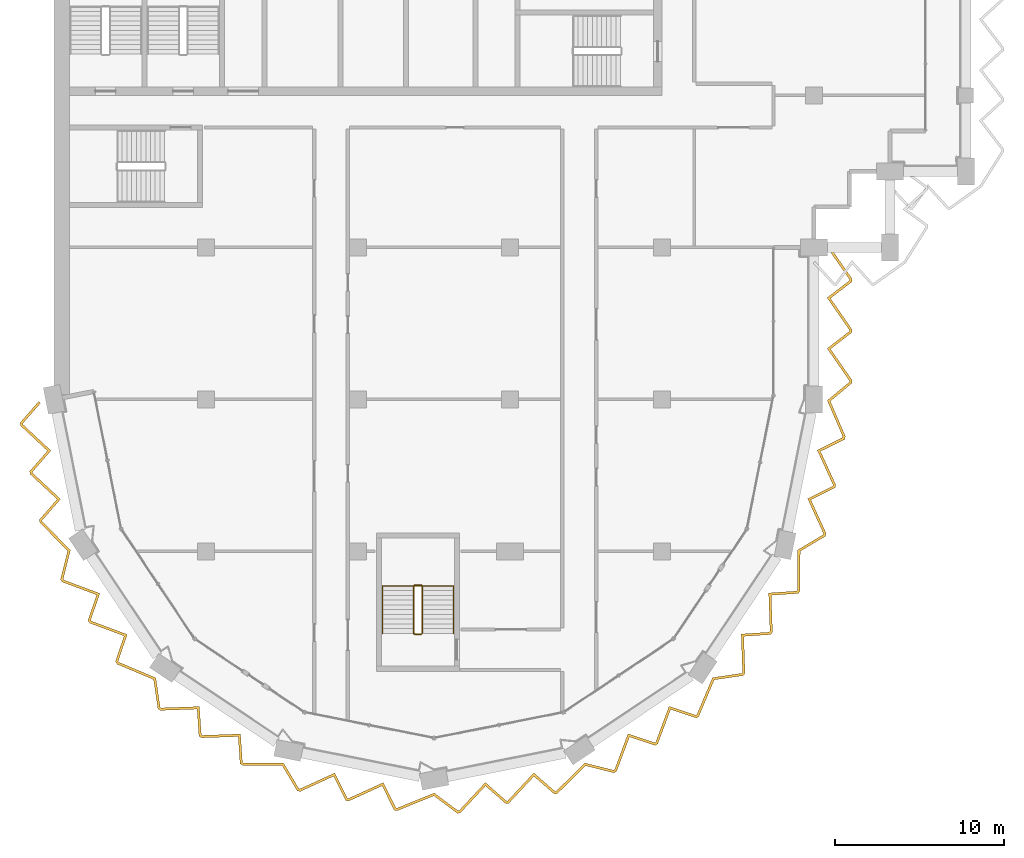
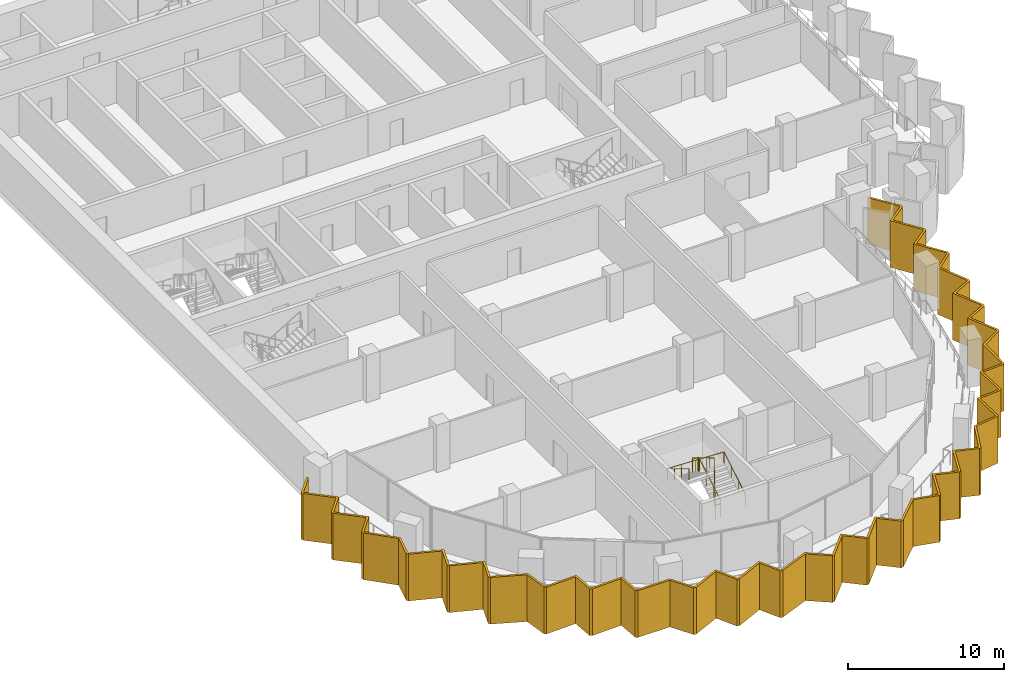
# One storey, part 13 of 16: 2 railings, 1 shading device.
"""IFC4 building model written with IfcOpenShell, lengths in metres."""

from ifc_helpers import new_model, si_unit, direction, frame, origin, origin_2d, place, context, subcontext, project, spatial, polyline, circle, outline, extrude, material, layer, layer_set, type_object, element, save


model = new_model("IFC4")

# Units and contexts
model_context = context("Model", 3, precision=1e-05, world=origin(), true_north=direction((0.0, 1.0)))
body_context = subcontext(model_context, "Body", "Model", "MODEL_VIEW")
ifc_project = project(units=[si_unit("LENGTHUNIT", "METRE"), si_unit("AREAUNIT", "SQUARE_METRE"), si_unit("VOLUMEUNIT", "CUBIC_METRE"), si_unit("PLANEANGLEUNIT", "RADIAN"), si_unit("MASSUNIT", "GRAM", prefix="KILO")], contexts=[model_context])

# Site, building, storey
site_placement = place(None, origin())
site = spatial("IfcSite", under=ifc_project, at=site_placement, CompositionType="ELEMENT")
building_placement = place(site_placement, origin())
building = spatial("IfcBuilding", under=site, at=building_placement, Name="Hunhe Ridgeline Campus", CompositionType="ELEMENT")
storey_placement = place(building_placement, frame((0.0, 0.0, 242.89990234375)))
storey = spatial("IfcBuildingStorey", under=building, at=storey_placement, Name="L62", CompositionType="ELEMENT", Elevation=242.89990234375)

# Shading device
ifc_material_1 = material(Name="Concrete C50", Category="concrete")
ifc_layer = layer(ifc_material_1, 0.14990234375)
ifc_layer_set = layer_set([ifc_layer], Name="Sawtooth concrete fin 150 Concrete C50")
shading_device_type = type_object("IfcShadingDeviceType", Name="Sawtooth concrete fin 150 Concrete C50", PredefinedType="USERDEFINED", material=ifc_layer_set)
shading_device_placement = place(storey_placement, frame((0.0, 0.0, -0.949951171875)))
element("IfcShadingDevice", 1, at=shading_device_placement, inside=storey, type_object=shading_device_type, Name="Concrete fin screen 1", ObjectType="FIN", PredefinedType="USERDEFINED", context=body_context, shape_type="SweptSolid", body=[
    extrude(outline(polyline([(-0.8017578125, 44.780029296875), (-0.914794921875, 44.878662109375), (-2.0185546875, 43.614501953125), (-1.983154296875, 43.436767578125), (-0.3916015625, 41.953857421875), (-1.447509765625, 40.744384765625), (-1.412353515625, 40.566650390625), (0.179443359375, 39.083740234375), (-0.876708984375, 37.874267578125), (-0.841796875, 37.6982421875), (0.805419921875, 36.025634765625), (0.380126953125, 34.333984375), (0.478759765625, 34.1865234375), (2.5166015625, 33.425537109375), (2.00390625, 31.90380859375), (2.1044921875, 31.75341796875), (4.142578125, 30.9921875), (3.629638671875, 29.470703125), (3.729248046875, 29.321533203125), (5.89111328125, 28.40673828125), (6.1455078125, 26.68115234375), (6.293212890625, 26.58251953125), (8.46728515625, 26.6591796875), (8.57568359375, 25.057373046875), (8.726318359375, 24.956787109375), (10.900390625, 25.033447265625), (11.0087890625, 23.431396484375), (11.157958984375, 23.331787109375), (13.50537109375, 23.313720703125), (14.40087890625, 21.81689453125), (14.574951171875, 21.7822265625), (16.55419921875, 22.685302734375), (17.267333984375, 21.246826171875), (17.445068359375, 21.21142578125), (19.42431640625, 22.1142578125), (20.137451171875, 20.67578125), (20.3134765625, 20.640869140625), (22.489013671875, 21.5224609375), (23.88916015625, 20.482177734375), (24.063232421875, 20.516845703125), (25.546142578125, 22.1083984375), (26.755615234375, 21.052490234375), (26.933349609375, 21.087646484375), (28.416259765625, 22.679443359375), (29.625732421875, 21.623291015625), (29.8017578125, 21.658203125), (31.474365234375, 23.305419921875), (33.166015625, 22.880126953125), (33.3134765625, 22.978759765625), (34.074462890625, 25.0166015625), (35.59619140625, 24.50390625), (35.74658203125, 24.6044921875), (36.5078125, 26.642578125), (38.029296875, 26.129638671875), (38.178466796875, 26.229248046875), (39.09326171875, 28.39111328125), (40.81884765625, 28.6455078125), (40.91748046875, 28.793212890625), (40.8408203125, 30.96728515625), (42.442626953125, 31.07568359375), (42.543212890625, 31.226318359375), (42.466552734375, 33.400390625), (44.068603515625, 33.5087890625), (44.168212890625, 33.657958984375), (44.186279296875, 36.00537109375), (45.68310546875, 36.90087890625), (45.7177734375, 37.074951171875), (44.814697265625, 39.05419921875), (46.253173828125, 39.767333984375), (46.28857421875, 39.945068359375), (45.3857421875, 41.92431640625), (46.82421875, 42.637451171875), (46.859375, 42.814208984375), (45.966064453125, 44.89208984375), (47.25, 45.967041015625), (47.25, 46.1455078125), (45.977294921875, 47.984130859375), (47.25, 48.965087890625), (47.25, 49.1455078125), (45.977294921875, 50.984130859375), (47.25, 51.965087890625), (47.25, 52.1455078125), (45.936767578125, 54.042724609375), (45.813232421875, 53.957275390625), (47.10009765625, 52.0986328125), (47.10009765625, 52.038818359375), (45.772705078125, 51.015869140625), (47.10009765625, 49.0986328125), (47.10009765625, 49.038818359375), (45.772705078125, 48.015869140625), (47.10009765625, 46.0986328125), (47.10009765625, 46.037109375), (45.783935546875, 44.935546875), (46.703125, 42.7978515625), (46.69140625, 42.7392578125), (45.18896484375, 41.994140625), (46.132080078125, 39.9267578125), (46.12060546875, 39.869140625), (44.617919921875, 39.1240234375), (45.56103515625, 37.056640625), (45.548828125, 36.995361328125), (44.036865234375, 36.0908203125), (44.0185546875, 33.7041015625), (43.98486328125, 33.653564453125), (42.3115234375, 33.540283203125), (42.3916015625, 31.269287109375), (42.35888671875, 31.220458984375), (40.685791015625, 31.107177734375), (40.765869140625, 28.836181640625), (40.731201171875, 28.7841796875), (38.988037109375, 28.52734375), (38.0576171875, 26.3291015625), (38.00732421875, 26.29541015625), (36.41796875, 26.8310546875), (35.623046875, 24.702392578125), (35.573974609375, 24.669677734375), (33.98486328125, 25.205322265625), (33.18994140625, 23.07666015625), (33.137939453125, 23.041748046875), (31.42919921875, 23.471435546875), (29.728515625, 21.796630859375), (29.6689453125, 21.784912109375), (28.405517578125, 22.887939453125), (26.8564453125, 21.225341796875), (26.798828125, 21.2138671875), (25.535400390625, 22.31689453125), (23.986328125, 20.654541015625), (23.925048828125, 20.642333984375), (22.510986328125, 21.693115234375), (20.298583984375, 20.796630859375), (20.2392578125, 20.80859375), (19.494140625, 22.31103515625), (17.4267578125, 21.367919921875), (17.369140625, 21.37939453125), (16.6240234375, 22.882080078125), (14.556640625, 21.93896484375), (14.495361328125, 21.951171875), (13.5908203125, 23.463134765625), (11.2041015625, 23.4814453125), (11.153564453125, 23.51513671875), (11.040283203125, 25.1884765625), (8.769287109375, 25.1083984375), (8.720458984375, 25.14111328125), (8.607177734375, 26.814208984375), (6.336181640625, 26.734130859375), (6.2841796875, 26.768798828125), (6.02734375, 28.511962890625), (3.8291015625, 29.4423828125), (3.79541015625, 29.49267578125), (4.3310546875, 31.08203125), (2.202392578125, 31.876953125), (2.169677734375, 31.926025390625), (2.705322265625, 33.51513671875), (0.57666015625, 34.31005859375), (0.541748046875, 34.362060546875), (0.971435546875, 36.07080078125), (-0.703369140625, 37.771484375), (-0.715087890625, 37.8310546875), (0.387939453125, 39.094482421875), (-1.274658203125, 40.6435546875), (-1.2861328125, 40.701171875), (-0.18310546875, 41.964599609375), (-1.845458984375, 43.513671875), (-1.85693359375, 43.5712890625), (-0.8017578125, 44.780029296875)])), origin(), (0.0, 0.0, 1.0), 3.650146484375),
])

# Railings
ifc_material_2 = material(Name="Stainless steel balustrade", Category="steel")
railing_type_1 = type_object("IfcRailingType", Name="Stair guard 1100 stainless", PredefinedType="GUARDRAIL", material=ifc_material_2)
railing_1_placement = place(storey_placement, frame((21.800048828125, 31.14990234375, 0.168212890625)))
element("IfcRailing", 2, at=railing_1_placement, inside=storey, type_object=railing_type_1, Name="L62 stair W3 guard", PredefinedType="GUARDRAIL", context=body_context, shape_type="SweptSolid", body=[
    extrude(circle(Radius=0.02392578125, at=origin_2d()), frame((0.0, 0.0, 1.076171875), z_axis=(0.0, 0.857242210791, 0.514913383045), x_axis=(-1.0, 0.0, 0.0)), (0.0, 0.0, 1.0), 3.266357421875),
    extrude(circle(Radius=0.02392578125, at=origin_2d()), frame((0.0, 2.800048828125, 2.7578125), z_axis=(-0.707106781187, 0.707106781187, 0.0), x_axis=(-0.707106781187, -0.707106781187, 0.0)), (0.0, 0.0, 1.0), 0.07080078125),
    extrude(circle(Radius=0.02392578125, at=origin_2d()), frame((-0.050048828125, 2.85009765625, 2.7578125), z_axis=(-1.0, 0.0, 0.0), x_axis=(0.0, -1.0, 0.0)), (0.0, 0.0, 1.0), 0.39990234375),
    extrude(circle(Radius=0.02392578125, at=origin_2d()), frame((-0.449951171875, 2.85009765625, 2.7578125), z_axis=(-0.274243871929, -0.274243871929, 0.92172696468), x_axis=(0.707106781187, -0.707106781187, 0.0)), (0.0, 0.0, 1.0), 0.1826171875),
    extrude(circle(Radius=0.02392578125, at=origin_2d()), frame((-0.5, 2.800048828125, 2.92626953125), z_axis=(0.0, -0.857242210791, 0.514913383045), x_axis=(1.0, 0.0, 0.0)), (0.0, 0.0, 1.0), 3.266357421875),
    extrude(circle(Radius=0.02392578125, at=origin_2d()), frame((-0.5, 0.0, 4.60791015625), z_axis=(0.013523534403, -0.013457565943, -0.999817987404), x_axis=(0.705375805398, 0.708833529934, 0.0)), (0.0, 0.0, 1.0), 3.700927734375),
    extrude(circle(Radius=0.02392578125, at=origin_2d()), frame((-0.449951171875, -0.0498046875, 0.90771484375), z_axis=(1.0, 0.0, 0.0), x_axis=(0.0, 1.0, 0.0)), (0.0, 0.0, 1.0), 0.39990234375),
    extrude(circle(Radius=0.02099609375, at=origin_2d()), origin(), (0.0, 0.0, 1.0), 1.052001953125),
    extrude(circle(Radius=0.02099609375, at=origin_2d()), frame((0.0, 0.933349609375, 0.560546875)), (0.0, 0.0, 1.0), 1.052001953125),
    extrude(circle(Radius=0.02099609375, at=origin_2d()), frame((0.0, 1.86669921875, 1.121337890625)), (0.0, 0.0, 1.0), 1.052001953125),
    extrude(circle(Radius=0.02099609375, at=origin_2d()), frame((0.0, 2.800048828125, 1.681884765625)), (0.0, 0.0, 1.0), 1.052001953125),
    extrude(circle(Radius=0.02099609375, at=origin_2d()), frame((-0.050048828125, 2.85009765625, 1.681884765625)), (0.0, 0.0, 1.0), 1.052001953125),
    extrude(circle(Radius=0.02099609375, at=origin_2d()), frame((-0.449951171875, 2.85009765625, 1.681884765625)), (0.0, 0.0, 1.0), 1.052001953125),
    extrude(circle(Radius=0.02099609375, at=origin_2d()), frame((-0.5, 2.800048828125, 1.85009765625)), (0.0, 0.0, 1.0), 1.052001953125),
    extrude(circle(Radius=0.02099609375, at=origin_2d()), frame((-0.5, 1.86669921875, 2.41064453125)), (0.0, 0.0, 1.0), 1.052001953125),
    extrude(circle(Radius=0.02099609375, at=origin_2d()), frame((-0.5, 0.933349609375, 2.971435546875)), (0.0, 0.0, 1.0), 1.052001953125),
    extrude(circle(Radius=0.02099609375, at=origin_2d()), frame((-0.5, 0.0, 3.531982421875)), (0.0, 0.0, 1.0), 1.052001953125),
    extrude(circle(Radius=0.02099609375, at=origin_2d()), frame((-0.487548828125, -0.012451171875, 2.60693359375)), (0.0, 0.0, 1.0), 1.052001953125),
    extrude(circle(Radius=0.02099609375, at=origin_2d()), frame((-0.47509765625, -0.02490234375, 1.681884765625)), (0.0, 0.0, 1.0), 1.052001953125),
    extrude(circle(Radius=0.02099609375, at=origin_2d()), frame((-0.46240234375, -0.037353515625, 0.7568359375)), (0.0, 0.0, 1.0), 1.052001953125),
    extrude(circle(Radius=0.02099609375, at=origin_2d()), frame((-0.449951171875, -0.0498046875, -0.168212890625)), (0.0, 0.0, 1.0), 1.052001953125),
    extrude(circle(Radius=0.02099609375, at=origin_2d()), frame((-0.050048828125, -0.0498046875, -0.168212890625)), (0.0, 0.0, 1.0), 1.052001953125),
])
ifc_material_3 = material(Name="Stainless steel handrail", Category="steel")
railing_type_2 = type_object("IfcRailingType", Name="Stair handrail 900 stainless", PredefinedType="HANDRAIL", material=ifc_material_3)
railing_2_placement = place(storey_placement, frame((23.64990234375, 31.14990234375, 0.168212890625)))
element("IfcRailing", 3, at=railing_2_placement, inside=storey, type_object=railing_type_2, Name="L62 stair W3 handrail", PredefinedType="HANDRAIL", context=body_context, shape_type="SweptSolid", body=[
    extrude(circle(Radius=0.02392578125, at=origin_2d()), frame((0.0, 0.0, 0.8759765625), z_axis=(0.0, 0.857242210791, 0.514913383045), x_axis=(-1.0, 0.0, 0.0)), (0.0, 0.0, 1.0), 3.266357421875),
    extrude(circle(Radius=0.02392578125, at=origin_2d()), frame((0.0, 2.800048828125, 2.5576171875), z_axis=(-0.999198916169, 0.0, 0.040019069537), x_axis=(0.0, -1.0, 0.0)), (0.0, 0.0, 1.0), 4.203369140625),
    extrude(circle(Radius=0.02392578125, at=origin_2d()), frame((-4.199951171875, 2.800048828125, 2.72607421875), z_axis=(0.0, -0.857242210791, 0.514913383045), x_axis=(1.0, 0.0, 0.0)), (0.0, 0.0, 1.0), 3.266357421875),
    extrude(circle(Radius=0.02099609375, at=origin_2d()), origin(), (0.0, 0.0, 1.0), 0.851806640625),
    extrude(circle(Radius=0.02099609375, at=origin_2d()), frame((0.0, 0.933349609375, 0.560546875)), (0.0, 0.0, 1.0), 0.851806640625),
    extrude(circle(Radius=0.02099609375, at=origin_2d()), frame((0.0, 1.86669921875, 1.121337890625)), (0.0, 0.0, 1.0), 0.851806640625),
    extrude(circle(Radius=0.02099609375, at=origin_2d()), frame((0.0, 2.800048828125, 1.681884765625)), (0.0, 0.0, 1.0), 0.851806640625),
    extrude(circle(Radius=0.02099609375, at=origin_2d()), frame((-1.050048828125, 2.800048828125, 1.723876953125)), (0.0, 0.0, 1.0), 0.851806640625),
    extrude(circle(Radius=0.02099609375, at=origin_2d()), frame((-2.10009765625, 2.800048828125, 1.76611328125)), (0.0, 0.0, 1.0), 0.851806640625),
    extrude(circle(Radius=0.02099609375, at=origin_2d()), frame((-3.14990234375, 2.800048828125, 1.80810546875)), (0.0, 0.0, 1.0), 0.851806640625),
    extrude(circle(Radius=0.02099609375, at=origin_2d()), frame((-4.199951171875, 2.800048828125, 1.85009765625)), (0.0, 0.0, 1.0), 0.851806640625),
    extrude(circle(Radius=0.02099609375, at=origin_2d()), frame((-4.199951171875, 1.86669921875, 2.41064453125)), (0.0, 0.0, 1.0), 0.851806640625),
    extrude(circle(Radius=0.02099609375, at=origin_2d()), frame((-4.199951171875, 0.933349609375, 2.971435546875)), (0.0, 0.0, 1.0), 0.851806640625),
    extrude(circle(Radius=0.02099609375, at=origin_2d()), frame((-4.199951171875, 0.0, 3.531982421875)), (0.0, 0.0, 1.0), 0.851806640625),
])

save(model, "model.ifc")
